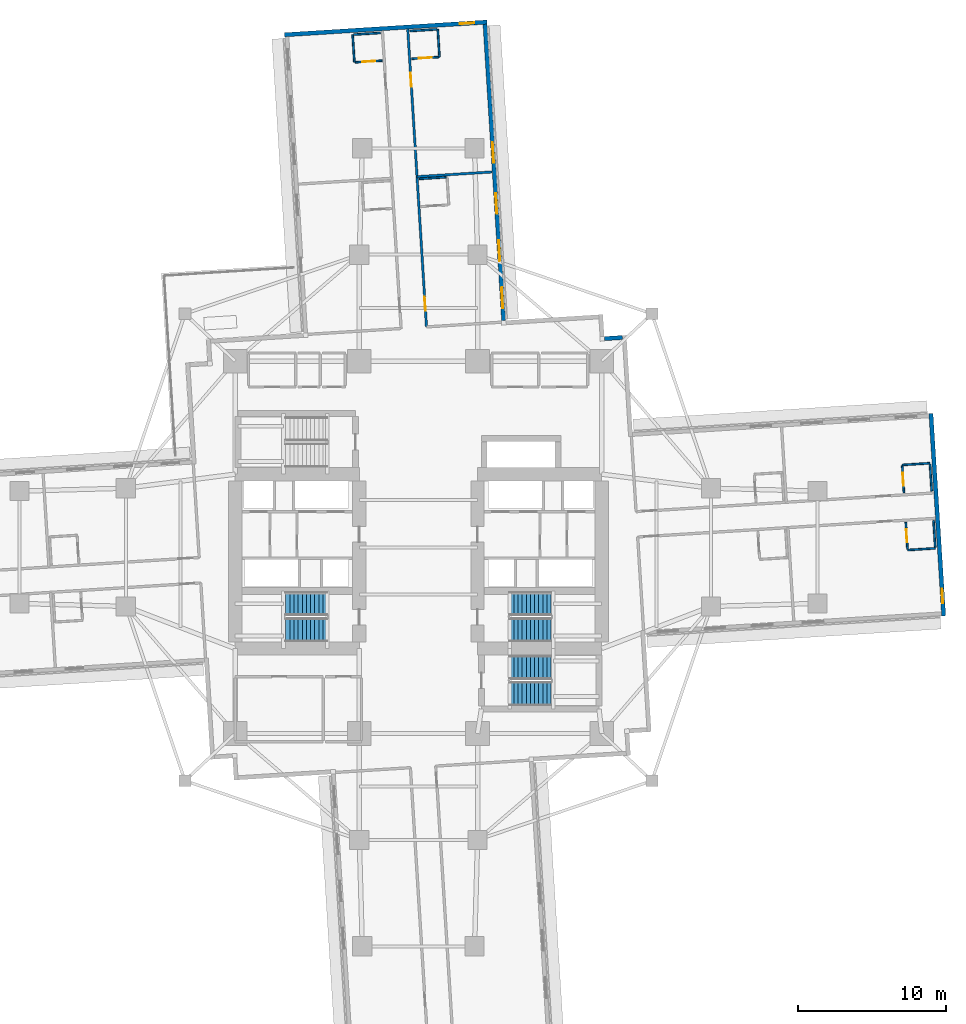
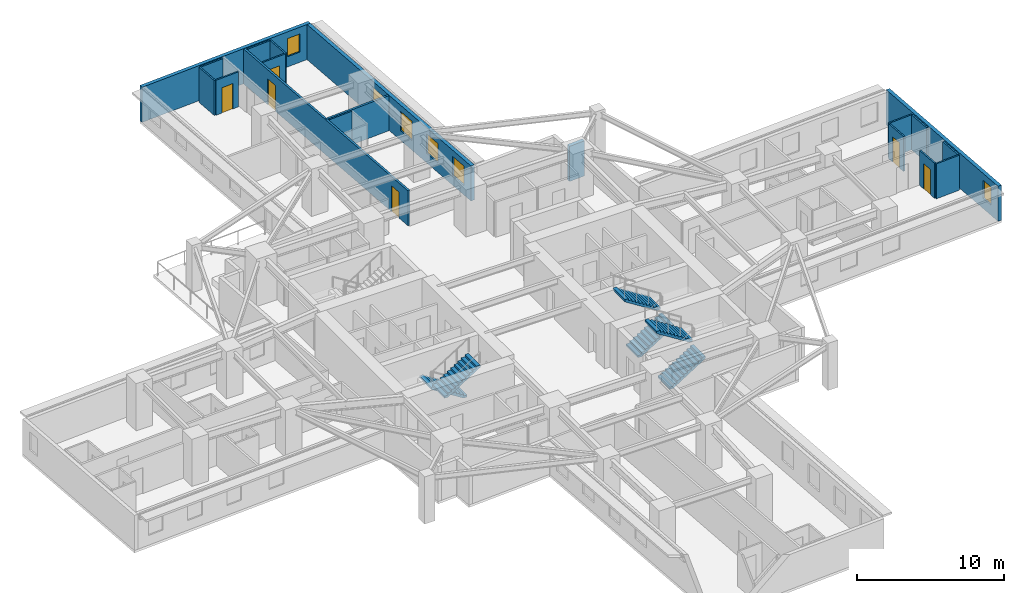
# One storey, part 8 of 14: 19 walls, 6 doors, 6 stair flights, 6 windows, 12 openings, 3 elements without a shape of their own.
"""IFC4 building model written with IfcOpenShell, lengths in metres."""

from ifc_helpers import new_model, si_unit, direction, frame, frame_2d, origin, place, context, subcontext, project, spatial, polyline, rectangle, outline, extrude, material, layer, layer_set, type_object, element, fill, aggregate, save


model = new_model("IFC4")

# Units and contexts
model_context = context("Model", 3, precision=1e-05, world=origin(), true_north=direction((0.0, 1.0)))
body_context = subcontext(model_context, "Body", "Model", "MODEL_VIEW")
ifc_project = project(units=[si_unit("LENGTHUNIT", "METRE"), si_unit("AREAUNIT", "SQUARE_METRE"), si_unit("VOLUMEUNIT", "CUBIC_METRE"), si_unit("PLANEANGLEUNIT", "RADIAN"), si_unit("MASSUNIT", "GRAM", prefix="KILO")], contexts=[model_context])

# Site, building, storey
site_placement = place(None, origin())
site = spatial("IfcSite", under=ifc_project, at=site_placement, CompositionType="ELEMENT")
building_placement = place(site_placement, origin())
building = spatial("IfcBuilding", under=site, at=building_placement, Name="Qingluan Cross Belvedere", CompositionType="ELEMENT")
storey_placement = place(building_placement, frame((0.0, 0.0, 39.300048828125)))
storey = spatial("IfcBuildingStorey", under=building, at=storey_placement, Name="L10", CompositionType="ELEMENT", Elevation=39.300048828125)

# Wall, openings, doors
ifc_material_1 = material(Name="Gypsum plasterboard on steel stud acoustic partition", Category="steel")
ifc_layer_1 = layer(ifc_material_1, 0.159912109375, Name="CorridorPartition_160")
ifc_layer_set_1 = layer_set([ifc_layer_1], Name="Gypsum plasterboard on steel stud acoustic partition")
wall_type_1 = type_object("IfcWallType", Name="CorridorPartition_160", PredefinedType="PARTITIONING", material=ifc_layer_set_1)
wall_1_placement = place(storey_placement, frame((0.544677734375, 14.91357421875, 0.0), z_axis=(0.0, 0.0, 1.0), x_axis=(-0.062794751284, 0.99802646218, 0.0)))
wall_1 = element("IfcWall", 1, at=wall_1_placement, inside=storey, type_object=wall_type_1, Name="Partition L10:N:c0", PredefinedType="PARTITIONING", context=body_context, shape_type="SweptSolid", body=[
    extrude(rectangle(XDim=20.18212890625, YDim=0.159912109375, at=frame_2d((10.091064453125, 0.0))), origin(), (0.0, 0.0, 1.0), 2.89990234375),
])
opening_1_placement = place(wall_1_placement, frame((1.093994140625, 0.0, 0.0)))
opening_1 = element("IfcOpeningElement", 2, at=opening_1_placement, cuts=wall_1, Name="Opening GD-10", PredefinedType="OPENING", context=body_context, shape_type="SweptSolid", body=[
    extrude(rectangle(XDim=0.9599609375, YDim=2.14990234375, at=frame_2d((0.47998046875, 1.074951171875))), frame((0.0, 0.08984375, 0.0), z_axis=(0.0, -1.0, 0.0), x_axis=(1.0, 0.0, 0.0)), (0.0, 0.0, 1.0), 0.179931640625),
])
opening_2_placement = place(wall_1_placement, frame((16.26806640625, 0.0, 0.0)))
opening_2 = element("IfcOpeningElement", 3, at=opening_2_placement, cuts=wall_1, Name="Opening GD-10", PredefinedType="OPENING", context=body_context, shape_type="SweptSolid", body=[
    extrude(rectangle(XDim=0.9599609375, YDim=2.14990234375, at=frame_2d((0.47998046875, 1.074951171875))), frame((0.0, 0.08984375, 0.0), z_axis=(0.0, -1.0, 0.0), x_axis=(1.0, 0.0, 0.0)), (0.0, 0.0, 1.0), 0.179931640625),
])
ifc_material_2 = material(Name="Timber oak fire-rated acoustic guestroom door", Category="wood")
door_type_1 = type_object("IfcDoorType", Name="GuestEntryDoor_FD60", OperationType="NOTDEFINED", PredefinedType="DOOR", material=ifc_material_2)
door_1_placement = place(opening_1_placement, origin())
door_1 = element("IfcDoor", 4, at=door_1_placement, inside=storey, type_object=door_type_1, Name="Guest entry fire door 1009", OperationType="SINGLE_SWING_LEFT", OverallHeight=2.14990234375, OverallWidth=0.9599609375, PredefinedType="DOOR", context=body_context, shape_type="SweptSolid", body=[
    extrude(rectangle(XDim=0.9599609375, YDim=2.14990234375, at=frame_2d((0.47998046875, 1.074951171875))), frame((0.0, 0.02490234375, 0.0), z_axis=(0.0, -1.0, 0.0), x_axis=(1.0, 0.0, 0.0)), (0.0, 0.0, 1.0), 0.050048828125),
])
fill(opening_1, door_1)
door_2_placement = place(opening_2_placement, origin())
door_2 = element("IfcDoor", 5, at=door_2_placement, inside=storey, type_object=door_type_1, Name="Guest entry fire door 1010", OperationType="SINGLE_SWING_LEFT", OverallHeight=2.14990234375, OverallWidth=0.9599609375, PredefinedType="DOOR", context=body_context, shape_type="SweptSolid", body=[
    extrude(rectangle(XDim=0.9599609375, YDim=2.14990234375, at=frame_2d((0.47998046875, 1.074951171875))), frame((0.0, 0.02490234375, 0.0), z_axis=(0.0, -1.0, 0.0), x_axis=(1.0, 0.0, 0.0)), (0.0, 0.0, 1.0), 0.050048828125),
])
fill(opening_2, door_2)

# Wall
wall_2_placement = place(storey_placement, frame((-0.094970703125, 25.07861328125, 0.0), z_axis=(0.0, 0.0, 1.0), x_axis=(0.998028625998, 0.062760351241, 0.0)))
element("IfcWall", 6, at=wall_2_placement, inside=storey, type_object=wall_type_1, Name="Partition L10:N:d0_0", PredefinedType="PARTITIONING", context=body_context, shape_type="SweptSolid", body=[
    extrude(rectangle(XDim=5.092041015625, YDim=0.159912109375, at=frame_2d((2.5458984375, 0.0))), origin(), (0.0, 0.0, 1.0), 2.89990234375),
])

# Wall, opening, door
ifc_material_3 = material(Name="Moisture-resistant gypsum board lining")
ifc_layer_2 = layer(ifc_material_3, 0.1201171875, Name="EnsuiteWetPartition_120")
ifc_layer_set_2 = layer_set([ifc_layer_2], Name="Moisture-resistant gypsum board lining")
wall_type_2 = type_object("IfcWallType", Name="EnsuiteWetPartition_120", PredefinedType="PARTITIONING", material=ifc_layer_set_2)
wall_3_placement = place(storey_placement, frame((32.85302734375, 3.690185546875, 0.0), z_axis=(0.0, 0.0, 1.0), x_axis=(-0.062779145668, 0.998027443946, 0.0)))
wall_3 = element("IfcWall", 7, at=wall_3_placement, inside=storey, type_object=wall_type_2, Name="Partition L10:E:bs0_1", PredefinedType="PARTITIONING", context=body_context, shape_type="SweptSolid", body=[
    extrude(rectangle(XDim=1.820068359375, YDim=0.1201171875, at=frame_2d((0.91015625, 0.0))), origin(), (0.0, 0.0, 1.0), 2.89990234375),
])
opening_3_placement = place(wall_3_placement, frame((0.469970703125, 0.0, 0.0)))
opening_3 = element("IfcOpeningElement", 8, at=opening_3_placement, cuts=wall_3, Name="Opening BD-09", PredefinedType="OPENING", context=body_context, shape_type="SweptSolid", body=[
    extrude(rectangle(XDim=0.8798828125, YDim=2.10009765625, at=frame_2d((0.43994140625, 1.050048828125))), frame((0.0, 0.070068359375, 0.0), z_axis=(0.0, -1.0, 0.0), x_axis=(1.0, 0.0, 0.0)), (0.0, 0.0, 1.0), 0.14013671875),
])
ifc_material_4 = material(Name="Moisture-sealed timber en-suite door", Category="wood")
door_type_2 = type_object("IfcDoorType", Name="BathroomDoor_880", OperationType="NOTDEFINED", PredefinedType="DOOR", material=ifc_material_4)
door_3_placement = place(opening_3_placement, origin())
door_3 = element("IfcDoor", 9, at=door_3_placement, inside=storey, type_object=door_type_2, Name="Bathroom door 1002", OperationType="SINGLE_SWING_RIGHT", OverallHeight=2.10009765625, OverallWidth=0.8798828125, PredefinedType="DOOR", context=body_context, shape_type="SweptSolid", body=[
    extrude(rectangle(XDim=0.8798828125, YDim=2.10009765625, at=frame_2d((0.43994140625, 1.050048828125))), frame((0.0, 0.02490234375, 0.0), z_axis=(0.0, -1.0, 0.0), x_axis=(1.0, 0.0, 0.0)), (0.0, 0.0, 1.0), 0.050048828125),
])
fill(opening_3, door_3)

# Walls
wall_4_placement = place(storey_placement, frame((34.7294921875, 3.80810546875, 0.0), z_axis=(0.0, 0.0, 1.0), x_axis=(-0.062912758763, 0.998019030272, 0.0)))
element("IfcWall", 10, at=wall_4_placement, inside=storey, type_object=wall_type_2, Name="Partition L10:E:bw0_1", PredefinedType="PARTITIONING", context=body_context, shape_type="SweptSolid", body=[
    extrude(rectangle(XDim=1.820068359375, YDim=0.1201171875, at=frame_2d((0.91015625, 0.0))), origin(), (0.0, 0.0, 1.0), 2.89990234375),
])
wall_5_placement = place(storey_placement, frame((32.73486328125, 5.5712890625, 0.0), z_axis=(0.0, 0.0, 1.0), x_axis=(0.998022650819, 0.062855297722, 0.0)))
element("IfcWall", 11, at=wall_5_placement, inside=storey, type_object=wall_type_2, Name="Partition L10:E:bn0_1", PredefinedType="PARTITIONING", context=body_context, shape_type="SweptSolid", body=[
    extrude(rectangle(XDim=1.8798828125, YDim=0.1201171875, at=frame_2d((0.93994140625, 0.0))), origin(), (0.0, 0.0, 1.0), 2.89990234375),
])

# Wall, opening, door
wall_6_placement = place(storey_placement, frame((33.093017578125, -0.122314453125, 0.0), z_axis=(0.0, 0.0, 1.0), x_axis=(-0.062779145668, 0.998027443946, 0.0)))
wall_6 = element("IfcWall", 12, at=wall_6_placement, inside=storey, type_object=wall_type_2, Name="Partition L10:E:bs1_1", PredefinedType="PARTITIONING", context=body_context, shape_type="SweptSolid", body=[
    extrude(rectangle(XDim=1.820068359375, YDim=0.1201171875, at=frame_2d((0.91015625, 0.0))), origin(), (0.0, 0.0, 1.0), 2.89990234375),
])
opening_4_placement = place(wall_6_placement, frame((0.469970703125, 0.0, 0.0)))
opening_4 = element("IfcOpeningElement", 13, at=opening_4_placement, cuts=wall_6, Name="Opening BD-09", PredefinedType="OPENING", context=body_context, shape_type="SweptSolid", body=[
    extrude(rectangle(XDim=0.8798828125, YDim=2.10009765625, at=frame_2d((0.43994140625, 1.050048828125))), frame((0.0, 0.070068359375, 0.0), z_axis=(0.0, -1.0, 0.0), x_axis=(1.0, 0.0, 0.0)), (0.0, 0.0, 1.0), 0.14013671875),
])
door_4_placement = place(opening_4_placement, origin())
door_4 = element("IfcDoor", 14, at=door_4_placement, inside=storey, type_object=door_type_2, Name="Bathroom door 1004", OperationType="SINGLE_SWING_RIGHT", OverallHeight=2.10009765625, OverallWidth=0.8798828125, PredefinedType="DOOR", context=body_context, shape_type="SweptSolid", body=[
    extrude(rectangle(XDim=0.8798828125, YDim=2.10009765625, at=frame_2d((0.43994140625, 1.050048828125))), frame((0.0, 0.02490234375, 0.0), z_axis=(0.0, -1.0, 0.0), x_axis=(1.0, 0.0, 0.0)), (0.0, 0.0, 1.0), 0.050048828125),
])
fill(opening_4, door_4)

# Walls
wall_7_placement = place(storey_placement, frame((34.96923828125, -0.00439453125, 0.0), z_axis=(0.0, 0.0, 1.0), x_axis=(-0.062779145668, 0.998027443946, 0.0)))
element("IfcWall", 15, at=wall_7_placement, inside=storey, type_object=wall_type_2, Name="Partition L10:E:bw1_1", PredefinedType="PARTITIONING", context=body_context, shape_type="SweptSolid", body=[
    extrude(rectangle(XDim=1.820068359375, YDim=0.1201171875, at=frame_2d((0.91015625, 0.0))), origin(), (0.0, 0.0, 1.0), 2.89990234375),
])
wall_8_placement = place(storey_placement, frame((33.09716796875, -0.187255859375, 0.0), z_axis=(0.0, 0.0, 1.0), x_axis=(0.998022650819, 0.062855297722, 0.0)))
element("IfcWall", 16, at=wall_8_placement, inside=storey, type_object=wall_type_2, Name="Partition L10:E:bc1_1", PredefinedType="PARTITIONING", context=body_context, shape_type="SweptSolid", body=[
    extrude(rectangle(XDim=1.8798828125, YDim=0.1201171875, at=frame_2d((0.93994140625, 0.0))), origin(), (0.0, 0.0, 1.0), 2.89990234375),
])
wall_9_placement = place(storey_placement, frame((0.054931640625, 24.927490234375, 0.0), z_axis=(0.0, 0.0, 1.0), x_axis=(0.998019030272, 0.062912758763, 0.0)))
element("IfcWall", 17, at=wall_9_placement, inside=storey, type_object=wall_type_2, Name="Partition L10:N:bw0_0", PredefinedType="PARTITIONING", context=body_context, shape_type="SweptSolid", body=[
    extrude(rectangle(XDim=1.820068359375, YDim=0.1201171875, at=frame_2d((0.91015625, 0.0))), origin(), (0.0, 0.0, 1.0), 2.89990234375),
])

# Wall, opening, door
wall_10_placement = place(storey_placement, frame((-0.45654296875, 33.056640625, 0.0), z_axis=(0.0, 0.0, 1.0), x_axis=(0.998027443946, 0.062779145668, 0.0)))
wall_10 = element("IfcWall", 18, at=wall_10_placement, inside=storey, type_object=wall_type_2, Name="Partition L10:N:bs0_1", PredefinedType="PARTITIONING", context=body_context, shape_type="SweptSolid", body=[
    extrude(rectangle(XDim=1.820068359375, YDim=0.1201171875, at=frame_2d((0.91015625, 0.0))), origin(), (0.0, 0.0, 1.0), 2.89990234375),
])
opening_5_placement = place(wall_10_placement, frame((0.469970703125, 0.0, 0.0)))
opening_5 = element("IfcOpeningElement", 19, at=opening_5_placement, cuts=wall_10, Name="Opening BD-09", PredefinedType="OPENING", context=body_context, shape_type="SweptSolid", body=[
    extrude(rectangle(XDim=0.8798828125, YDim=2.10009765625, at=frame_2d((0.43994140625, 1.050048828125))), frame((0.0, 0.070068359375, 0.0), z_axis=(0.0, -1.0, 0.0), x_axis=(1.0, 0.0, 0.0)), (0.0, 0.0, 1.0), 0.14013671875),
])
door_5_placement = place(opening_5_placement, origin())
door_5 = element("IfcDoor", 20, at=door_5_placement, inside=storey, type_object=door_type_2, Name="Bathroom door 1010", OperationType="SINGLE_SWING_RIGHT", OverallHeight=2.10009765625, OverallWidth=0.8798828125, PredefinedType="DOOR", context=body_context, shape_type="SweptSolid", body=[
    extrude(rectangle(XDim=0.8798828125, YDim=2.10009765625, at=frame_2d((0.43994140625, 1.050048828125))), frame((0.0, 0.02490234375, 0.0), z_axis=(0.0, -1.0, 0.0), x_axis=(1.0, 0.0, 0.0)), (0.0, 0.0, 1.0), 0.050048828125),
])
fill(opening_5, door_5)

# Walls
wall_11_placement = place(storey_placement, frame((-0.57470703125, 34.932861328125, 0.0), z_axis=(0.0, 0.0, 1.0), x_axis=(0.998027443946, 0.062779145668, 0.0)))
element("IfcWall", 21, at=wall_11_placement, inside=storey, type_object=wall_type_2, Name="Partition L10:N:bw0_1", PredefinedType="PARTITIONING", context=body_context, shape_type="SweptSolid", body=[
    extrude(rectangle(XDim=1.820068359375, YDim=0.1201171875, at=frame_2d((0.91015625, 0.0))), origin(), (0.0, 0.0, 1.0), 2.89990234375),
])
wall_12_placement = place(storey_placement, frame((1.4248046875, 33.1748046875, 0.0), z_axis=(0.0, 0.0, 1.0), x_axis=(-0.062847152131, 0.998023163794, 0.0)))
element("IfcWall", 22, at=wall_12_placement, inside=storey, type_object=wall_type_2, Name="Partition L10:N:bn0_1", PredefinedType="PARTITIONING", context=body_context, shape_type="SweptSolid", body=[
    extrude(rectangle(XDim=1.880126953125, YDim=0.1201171875, at=frame_2d((0.93994140625, 0.0))), origin(), (0.0, 0.0, 1.0), 2.89990234375),
])

# Wall, opening, door
wall_13_placement = place(storey_placement, frame((-4.26904296875, 32.816650390625, 0.0), z_axis=(0.0, 0.0, 1.0), x_axis=(0.998027443946, 0.062779145668, 0.0)))
wall_13 = element("IfcWall", 23, at=wall_13_placement, inside=storey, type_object=wall_type_2, Name="Partition L10:N:bs1_1", PredefinedType="PARTITIONING", context=body_context, shape_type="SweptSolid", body=[
    extrude(rectangle(XDim=1.820068359375, YDim=0.1201171875, at=frame_2d((0.91015625, 0.0))), origin(), (0.0, 0.0, 1.0), 2.89990234375),
])
opening_6_placement = place(wall_13_placement, frame((0.469970703125, 0.0, 0.0)))
opening_6 = element("IfcOpeningElement", 24, at=opening_6_placement, cuts=wall_13, Name="Opening BD-09", PredefinedType="OPENING", context=body_context, shape_type="SweptSolid", body=[
    extrude(rectangle(XDim=0.8798828125, YDim=2.10009765625, at=frame_2d((0.43994140625, 1.050048828125))), frame((0.0, 0.070068359375, 0.0), z_axis=(0.0, -1.0, 0.0), x_axis=(1.0, 0.0, 0.0)), (0.0, 0.0, 1.0), 0.14013671875),
])
door_6_placement = place(opening_6_placement, origin())
door_6 = element("IfcDoor", 25, at=door_6_placement, inside=storey, type_object=door_type_2, Name="Bathroom door 1012", OperationType="SINGLE_SWING_RIGHT", OverallHeight=2.10009765625, OverallWidth=0.8798828125, PredefinedType="DOOR", context=body_context, shape_type="SweptSolid", body=[
    extrude(rectangle(XDim=0.8798828125, YDim=2.10009765625, at=frame_2d((0.43994140625, 1.050048828125))), frame((0.0, 0.02490234375, 0.0), z_axis=(0.0, -1.0, 0.0), x_axis=(1.0, 0.0, 0.0)), (0.0, 0.0, 1.0), 0.050048828125),
])
fill(opening_6, door_6)

# Walls
wall_14_placement = place(storey_placement, frame((-4.386962890625, 34.693115234375, 0.0), z_axis=(0.0, 0.0, 1.0), x_axis=(0.998027443946, 0.062779145668, 0.0)))
element("IfcWall", 26, at=wall_14_placement, inside=storey, type_object=wall_type_2, Name="Partition L10:N:bw1_1", PredefinedType="PARTITIONING", context=body_context, shape_type="SweptSolid", body=[
    extrude(rectangle(XDim=1.820068359375, YDim=0.1201171875, at=frame_2d((0.91015625, 0.0))), origin(), (0.0, 0.0, 1.0), 2.89990234375),
])
wall_15_placement = place(storey_placement, frame((-4.333984375, 32.8125, 0.0), z_axis=(0.0, 0.0, 1.0), x_axis=(-0.062717813936, 0.998031300018, 0.0)))
element("IfcWall", 27, at=wall_15_placement, inside=storey, type_object=wall_type_2, Name="Partition L10:N:bc1_1", PredefinedType="PARTITIONING", context=body_context, shape_type="SweptSolid", body=[
    extrude(rectangle(XDim=1.880126953125, YDim=0.1201171875, at=frame_2d((0.93994140625, 0.0))), origin(), (0.0, 0.0, 1.0), 2.89990234375),
])

# Wall, opening, window
ifc_material_5 = material(Name="Precast concrete C45", Category="concrete")
ifc_layer_3 = layer(ifc_material_5, 0.280029296875, Name="PrecastFacadeWall_280")
ifc_layer_set_3 = layer_set([ifc_layer_3], Name="Precast concrete C45")
wall_type_3 = type_object("IfcWallType", Name="PrecastFacadeWall_280", PredefinedType="STANDARD", material=ifc_layer_set_3)
wall_16_placement = place(storey_placement, frame((35.541259765625, -4.637451171875, 0.0), z_axis=(0.0, 0.0, 1.0), x_axis=(-0.062797041623, 0.998026318072, 0.0)))
wall_16 = element("IfcWall", 28, at=wall_16_placement, inside=storey, type_object=wall_type_3, Name="Arm tip precast facade wall L10-E", PredefinedType="STANDARD", context=body_context, shape_type="SweptSolid", body=[
    extrude(rectangle(XDim=13.719970703125, YDim=0.280029296875, at=frame_2d((6.85986328125, 0.0))), origin(), (0.0, 0.0, 1.0), 2.909912109375),
])
opening_7_placement = place(wall_16_placement, frame((0.85009765625, 0.0, 0.85009765625)))
opening_7 = element("IfcOpeningElement", 29, at=opening_7_placement, cuts=wall_16, Name="Opening W-03", PredefinedType="OPENING", context=body_context, shape_type="SweptSolid", body=[
    extrude(rectangle(XDim=1.0, YDim=1.5, at=frame_2d((0.5, 0.75))), frame((0.0, 0.14990234375, 0.0), z_axis=(0.0, -1.0, 0.0), x_axis=(1.0, 0.0, 0.0)), (0.0, 0.0, 1.0), 0.300048828125),
])
ifc_material_6 = material(Name="Thermally broken triple Low-E glass in aluminium frame", Category="aluminium")
window_type_1 = type_object("IfcWindowType", Name="TriApexWin_1000x1500", PartitioningType="SINGLE_PANEL", PredefinedType="WINDOW", material=ifc_material_6)
window_1_placement = place(opening_7_placement, origin())
window_1 = element("IfcWindow", 30, at=window_1_placement, inside=storey, type_object=window_type_1, Name="Arm tip triangular window L10-E", OverallHeight=1.5, OverallWidth=1.0, PartitioningType="SINGLE_PANEL", PredefinedType="WINDOW", context=body_context, shape_type="SweptSolid", body=[
    extrude(rectangle(XDim=1.0, YDim=1.5, at=frame_2d((0.5, 0.75))), frame((0.0, 0.030029296875, 0.0), z_axis=(0.0, -1.0, 0.0), x_axis=(1.0, 0.0, 0.0)), (0.0, 0.0, 1.0), 0.06005859375),
])
fill(opening_7, window_1)

# Wall, openings, windows
wall_17_placement = place(storey_placement, frame((5.7685546875, 15.33251953125, 0.0), z_axis=(0.0, 0.0, 1.0), x_axis=(-0.062784355807, 0.998027116198, 0.0)))
wall_17 = element("IfcWall", 31, at=wall_17_placement, inside=storey, type_object=wall_type_3, Name="Facade wall L10-NA", PredefinedType="STANDARD", context=body_context, shape_type="SweptSolid", body=[
    extrude(rectangle(XDim=20.099853515625, YDim=0.280029296875, at=frame_2d((10.0498046875, 0.0))), origin(), (0.0, 0.0, 1.0), 2.909912109375),
])
opening_8_placement = place(wall_17_placement, frame((0.85009765625, 0.0, 0.800048828125)))
opening_8 = element("IfcOpeningElement", 32, at=opening_8_placement, cuts=wall_17, Name="Opening W-01", PredefinedType="OPENING", context=body_context, shape_type="SweptSolid", body=[
    extrude(rectangle(XDim=1.39990234375, YDim=1.60009765625, at=frame_2d((0.699951171875, 0.800048828125))), frame((0.0, 0.14990234375, 0.0), z_axis=(0.0, -1.0, 0.0), x_axis=(1.0, 0.0, 0.0)), (0.0, 0.0, 1.0), 0.300048828125),
])
opening_9_placement = place(wall_17_placement, frame((4.050048828125, 0.0, 0.800048828125)))
opening_9 = element("IfcOpeningElement", 33, at=opening_9_placement, cuts=wall_17, Name="Opening W-01", PredefinedType="OPENING", context=body_context, shape_type="SweptSolid", body=[
    extrude(rectangle(XDim=1.39990234375, YDim=1.60009765625, at=frame_2d((0.699951171875, 0.800048828125))), frame((0.0, 0.14990234375, 0.0), z_axis=(0.0, -1.0, 0.0), x_axis=(1.0, 0.0, 0.0)), (0.0, 0.0, 1.0), 0.300048828125),
])
opening_10_placement = place(wall_17_placement, frame((7.25, 0.0, 0.800048828125)))
opening_10 = element("IfcOpeningElement", 34, at=opening_10_placement, cuts=wall_17, Name="Opening W-01", PredefinedType="OPENING", context=body_context, shape_type="SweptSolid", body=[
    extrude(rectangle(XDim=1.39990234375, YDim=1.60009765625, at=frame_2d((0.699951171875, 0.800048828125))), frame((0.0, 0.14990234375, 0.0), z_axis=(0.0, -1.0, 0.0), x_axis=(1.0, 0.0, 0.0)), (0.0, 0.0, 1.0), 0.300048828125),
])
opening_11_placement = place(wall_17_placement, frame((10.699951171875, 0.0, 0.800048828125)))
opening_11 = element("IfcOpeningElement", 35, at=opening_11_placement, cuts=wall_17, Name="Opening W-01", PredefinedType="OPENING", context=body_context, shape_type="SweptSolid", body=[
    extrude(rectangle(XDim=1.39990234375, YDim=1.60009765625, at=frame_2d((0.699951171875, 0.800048828125))), frame((0.0, 0.14990234375, 0.0), z_axis=(0.0, -1.0, 0.0), x_axis=(1.0, 0.0, 0.0)), (0.0, 0.0, 1.0), 0.300048828125),
])
ifc_material_7 = material(Name="Thermally broken triple Low-E glass in aluminium frame", Category="aluminium")
window_type_2 = type_object("IfcWindowType", Name="TriRibbonWin_1400x1600", PartitioningType="SINGLE_PANEL", PredefinedType="WINDOW", material=ifc_material_7)
window_2_placement = place(opening_8_placement, origin())
window_2 = element("IfcWindow", 36, at=window_2_placement, inside=storey, type_object=window_type_2, Name="Ribbon window L10-NA-1", OverallHeight=1.60009765625, OverallWidth=1.39990234375, PartitioningType="SINGLE_PANEL", PredefinedType="WINDOW", context=body_context, shape_type="SweptSolid", body=[
    extrude(rectangle(XDim=1.39990234375, YDim=1.60009765625, at=frame_2d((0.699951171875, 0.800048828125))), frame((0.0, 0.030029296875, 0.0), z_axis=(0.0, -1.0, 0.0), x_axis=(1.0, 0.0, 0.0)), (0.0, 0.0, 1.0), 0.06005859375),
])
fill(opening_8, window_2)
window_3_placement = place(opening_9_placement, origin())
window_3 = element("IfcWindow", 37, at=window_3_placement, inside=storey, type_object=window_type_2, Name="Ribbon window L10-NA-2", OverallHeight=1.60009765625, OverallWidth=1.39990234375, PartitioningType="SINGLE_PANEL", PredefinedType="WINDOW", context=body_context, shape_type="SweptSolid", body=[
    extrude(rectangle(XDim=1.39990234375, YDim=1.60009765625, at=frame_2d((0.699951171875, 0.800048828125))), frame((0.0, 0.030029296875, 0.0), z_axis=(0.0, -1.0, 0.0), x_axis=(1.0, 0.0, 0.0)), (0.0, 0.0, 1.0), 0.06005859375),
])
fill(opening_9, window_3)
window_4_placement = place(opening_10_placement, origin())
window_4 = element("IfcWindow", 38, at=window_4_placement, inside=storey, type_object=window_type_2, Name="Ribbon window L10-NA-3", OverallHeight=1.60009765625, OverallWidth=1.39990234375, PartitioningType="SINGLE_PANEL", PredefinedType="WINDOW", context=body_context, shape_type="SweptSolid", body=[
    extrude(rectangle(XDim=1.39990234375, YDim=1.60009765625, at=frame_2d((0.699951171875, 0.800048828125))), frame((0.0, 0.030029296875, 0.0), z_axis=(0.0, -1.0, 0.0), x_axis=(1.0, 0.0, 0.0)), (0.0, 0.0, 1.0), 0.06005859375),
])
fill(opening_10, window_4)
window_5_placement = place(opening_11_placement, origin())
window_5 = element("IfcWindow", 39, at=window_5_placement, inside=storey, type_object=window_type_2, Name="Ribbon window L10-NA-4", OverallHeight=1.60009765625, OverallWidth=1.39990234375, PartitioningType="SINGLE_PANEL", PredefinedType="WINDOW", context=body_context, shape_type="SweptSolid", body=[
    extrude(rectangle(XDim=1.39990234375, YDim=1.60009765625, at=frame_2d((0.699951171875, 0.800048828125))), frame((0.0, 0.030029296875, 0.0), z_axis=(0.0, -1.0, 0.0), x_axis=(1.0, 0.0, 0.0)), (0.0, 0.0, 1.0), 0.06005859375),
])
fill(opening_11, window_5)

# Wall, opening, window
wall_18_placement = place(storey_placement, frame((4.637451171875, 35.541259765625, 0.0), z_axis=(0.0, 0.0, 1.0), x_axis=(-0.998026318072, -0.062797041623, 0.0)))
wall_18 = element("IfcWall", 40, at=wall_18_placement, inside=storey, type_object=wall_type_3, Name="Arm tip precast facade wall L10-N", PredefinedType="STANDARD", context=body_context, shape_type="SweptSolid", body=[
    extrude(rectangle(XDim=13.719970703125, YDim=0.280029296875, at=frame_2d((6.85986328125, 0.0))), origin(), (0.0, 0.0, 1.0), 2.909912109375),
])
opening_12_placement = place(wall_18_placement, frame((0.85009765625, 0.0, 0.85009765625)))
opening_12 = element("IfcOpeningElement", 41, at=opening_12_placement, cuts=wall_18, Name="Opening W-03", PredefinedType="OPENING", context=body_context, shape_type="SweptSolid", body=[
    extrude(rectangle(XDim=1.0, YDim=1.5, at=frame_2d((0.5, 0.75))), frame((0.0, 0.14990234375, 0.0), z_axis=(0.0, -1.0, 0.0), x_axis=(1.0, 0.0, 0.0)), (0.0, 0.0, 1.0), 0.300048828125),
])
window_6_placement = place(opening_12_placement, origin())
window_6 = element("IfcWindow", 42, at=window_6_placement, inside=storey, type_object=window_type_1, Name="Arm tip triangular window L10-N", OverallHeight=1.5, OverallWidth=1.0, PartitioningType="SINGLE_PANEL", PredefinedType="WINDOW", context=body_context, shape_type="SweptSolid", body=[
    extrude(rectangle(XDim=1.0, YDim=1.5, at=frame_2d((0.5, 0.75))), frame((0.0, 0.030029296875, 0.0), z_axis=(0.0, -1.0, 0.0), x_axis=(1.0, 0.0, 0.0)), (0.0, 0.0, 1.0), 0.06005859375),
])
fill(opening_12, window_6)

# Wall
wall_19_placement = place(storey_placement, frame((13.7958984375, 14.1943359375, 0.0), z_axis=(0.0, 0.0, 1.0), x_axis=(-0.998023660242, -0.06283926796, 0.0)))
element("IfcWall", 43, at=wall_19_placement, inside=storey, type_object=wall_type_3, Name="Corner wall L10-NE2", PredefinedType="STANDARD", context=body_context, shape_type="SweptSolid", body=[
    extrude(rectangle(XDim=1.219970703125, YDim=0.280029296875, at=frame_2d((0.60986328125, 0.0))), origin(), (0.0, 0.0, 1.0), 2.909912109375),
])

# Stair, stair flights
ifc_material_8 = material(Name="Concrete C40", Category="concrete")
stair_type = type_object("IfcStairType", Name="CoreDoglegStair_1620", PredefinedType="HALF_TURN_STAIR", material=ifc_material_8)
stair_1_placement = place(storey_placement, origin())
stair_1 = element("IfcStair", 44, at=stair_1_placement, inside=storey, type_object=stair_type, Name="L10 ST1", PredefinedType="HALF_TURN_STAIR")
ifc_material_9 = material(Name="Concrete C40", Category="concrete")
ifc_layer_4 = layer(ifc_material_9, 0.179931640625, Name="StairFlight_RC180")
ifc_layer_set_4 = layer_set([ifc_layer_4], Name="Concrete C40")
stair_flight_type = type_object("IfcStairFlightType", Name="StairFlight_RC180", PredefinedType="STRAIGHT", material=ifc_layer_set_4)
stair_flight_1_placement = place(storey_placement, frame((-6.179931640625, -3.81005859375, 0.0), z_axis=(0.0, 0.0, 1.0), x_axis=(-1.0, 0.0, 0.0)))
stair_flight_1 = element("IfcStairFlight", 45, at=stair_flight_1_placement, type_object=stair_flight_type, Name="ST1 flight 1", NumberOfRisers=11, NumberOfTreads=10, PredefinedType="STRAIGHT", RiserHeight=0.177272727, TreadLength=0.28, context=body_context, shape_type="SweptSolid", body=[
    extrude(outline(polyline([(0.0, 0.0), (0.0, 0.17724609375), (0.280029296875, 0.17724609375), (0.280029296875, 0.3544921875), (0.56005859375, 0.3544921875), (0.56005859375, 0.53173828125), (0.840087890625, 0.53173828125), (0.840087890625, 0.708984375), (1.1201171875, 0.708984375), (1.1201171875, 0.886474609375), (1.39990234375, 0.886474609375), (1.39990234375, 1.063720703125), (1.679931640625, 1.063720703125), (1.679931640625, 1.240966796875), (1.9599609375, 1.240966796875), (1.9599609375, 1.418212890625), (2.239990234375, 1.418212890625), (2.239990234375, 1.595458984375), (2.52001953125, 1.595458984375), (2.52001953125, 1.772705078125), (2.800048828125, 1.772705078125), (2.800048828125, 1.949951171875), (2.800048828125, 1.59521484375), (0.2802734375, 0.0), (0.0, 0.0)])), frame((0.0, 0.81005859375, 0.0), z_axis=(0.0, -1.0, 0.0), x_axis=(1.0, 0.0, 0.0)), (0.0, 0.0, 1.0), 1.6201171875),
])
stair_flight_2_placement = place(storey_placement, frame((-8.97998046875, -5.590087890625, 1.949951171875), z_axis=(0.0, 0.0, 1.0), x_axis=(1.0, 0.0, 0.0)))
stair_flight_2 = element("IfcStairFlight", 46, at=stair_flight_2_placement, type_object=stair_flight_type, Name="ST1 flight 2", NumberOfRisers=11, NumberOfTreads=10, PredefinedType="STRAIGHT", RiserHeight=0.177272727, TreadLength=0.28, context=body_context, shape_type="SweptSolid", body=[
    extrude(outline(polyline([(0.0, 0.0), (0.0, 0.17724609375), (0.280029296875, 0.17724609375), (0.280029296875, 0.3544921875), (0.56005859375, 0.3544921875), (0.56005859375, 0.53173828125), (0.840087890625, 0.53173828125), (0.840087890625, 0.708984375), (1.1201171875, 0.708984375), (1.1201171875, 0.886474609375), (1.39990234375, 0.886474609375), (1.39990234375, 1.063720703125), (1.679931640625, 1.063720703125), (1.679931640625, 1.240966796875), (1.9599609375, 1.240966796875), (1.9599609375, 1.418212890625), (2.239990234375, 1.418212890625), (2.239990234375, 1.595458984375), (2.52001953125, 1.595458984375), (2.52001953125, 1.772705078125), (2.800048828125, 1.772705078125), (2.800048828125, 1.949951171875), (2.800048828125, 1.59521484375), (0.2802734375, 0.0), (0.0, 0.0)])), frame((0.0, 0.81005859375, 0.0), z_axis=(0.0, -1.0, 0.0), x_axis=(1.0, 0.0, 0.0)), (0.0, 0.0, 1.0), 1.6201171875),
])
aggregate(stair_1, [stair_flight_1, stair_flight_2])

stair_2_placement = place(storey_placement, origin())
stair_2 = element("IfcStair", 47, at=stair_2_placement, inside=storey, type_object=stair_type, Name="L10 ST2", PredefinedType="HALF_TURN_STAIR")
stair_flight_3_placement = place(storey_placement, frame((6.179931640625, -5.590087890625, 0.0), z_axis=(0.0, 0.0, 1.0), x_axis=(1.0, 0.0, 0.0)))
stair_flight_3 = element("IfcStairFlight", 48, at=stair_flight_3_placement, type_object=stair_flight_type, Name="ST2 flight 1", NumberOfRisers=11, NumberOfTreads=10, PredefinedType="STRAIGHT", RiserHeight=0.177272727, TreadLength=0.28, context=body_context, shape_type="SweptSolid", body=[
    extrude(outline(polyline([(0.0, 0.0), (0.0, 0.17724609375), (0.280029296875, 0.17724609375), (0.280029296875, 0.3544921875), (0.56005859375, 0.3544921875), (0.56005859375, 0.53173828125), (0.840087890625, 0.53173828125), (0.840087890625, 0.708984375), (1.1201171875, 0.708984375), (1.1201171875, 0.886474609375), (1.39990234375, 0.886474609375), (1.39990234375, 1.063720703125), (1.679931640625, 1.063720703125), (1.679931640625, 1.240966796875), (1.9599609375, 1.240966796875), (1.9599609375, 1.418212890625), (2.239990234375, 1.418212890625), (2.239990234375, 1.595458984375), (2.52001953125, 1.595458984375), (2.52001953125, 1.772705078125), (2.800048828125, 1.772705078125), (2.800048828125, 1.949951171875), (2.800048828125, 1.59521484375), (0.2802734375, 0.0), (0.0, 0.0)])), frame((0.0, 0.81005859375, 0.0), z_axis=(0.0, -1.0, 0.0), x_axis=(1.0, 0.0, 0.0)), (0.0, 0.0, 1.0), 1.6201171875),
])
stair_flight_4_placement = place(storey_placement, frame((8.97998046875, -3.81005859375, 1.949951171875), z_axis=(0.0, 0.0, 1.0), x_axis=(-1.0, 0.0, 0.0)))
stair_flight_4 = element("IfcStairFlight", 49, at=stair_flight_4_placement, type_object=stair_flight_type, Name="ST2 flight 2", NumberOfRisers=11, NumberOfTreads=10, PredefinedType="STRAIGHT", RiserHeight=0.177272727, TreadLength=0.28, context=body_context, shape_type="SweptSolid", body=[
    extrude(outline(polyline([(0.0, 0.0), (0.0, 0.17724609375), (0.280029296875, 0.17724609375), (0.280029296875, 0.3544921875), (0.56005859375, 0.3544921875), (0.56005859375, 0.53173828125), (0.840087890625, 0.53173828125), (0.840087890625, 0.708984375), (1.1201171875, 0.708984375), (1.1201171875, 0.886474609375), (1.39990234375, 0.886474609375), (1.39990234375, 1.063720703125), (1.679931640625, 1.063720703125), (1.679931640625, 1.240966796875), (1.9599609375, 1.240966796875), (1.9599609375, 1.418212890625), (2.239990234375, 1.418212890625), (2.239990234375, 1.595458984375), (2.52001953125, 1.595458984375), (2.52001953125, 1.772705078125), (2.800048828125, 1.772705078125), (2.800048828125, 1.949951171875), (2.800048828125, 1.59521484375), (0.2802734375, 0.0), (0.0, 0.0)])), frame((0.0, 0.81005859375, 0.0), z_axis=(0.0, -1.0, 0.0), x_axis=(1.0, 0.0, 0.0)), (0.0, 0.0, 1.0), 1.6201171875),
])
aggregate(stair_2, [stair_flight_3, stair_flight_4])

stair_3_placement = place(storey_placement, origin())
stair_3 = element("IfcStair", 50, at=stair_3_placement, inside=storey, type_object=stair_type, Name="L10 ST4", PredefinedType="HALF_TURN_STAIR")
stair_flight_5_placement = place(storey_placement, frame((6.179931640625, -9.909912109375, 0.0), z_axis=(0.0, 0.0, 1.0), x_axis=(1.0, 0.0, 0.0)))
stair_flight_5 = element("IfcStairFlight", 51, at=stair_flight_5_placement, type_object=stair_flight_type, Name="ST4 flight 1", NumberOfRisers=11, NumberOfTreads=10, PredefinedType="STRAIGHT", RiserHeight=0.177272727, TreadLength=0.28, context=body_context, shape_type="SweptSolid", body=[
    extrude(outline(polyline([(0.0, 0.0), (0.0, 0.17724609375), (0.280029296875, 0.17724609375), (0.280029296875, 0.3544921875), (0.56005859375, 0.3544921875), (0.56005859375, 0.53173828125), (0.840087890625, 0.53173828125), (0.840087890625, 0.708984375), (1.1201171875, 0.708984375), (1.1201171875, 0.886474609375), (1.39990234375, 0.886474609375), (1.39990234375, 1.063720703125), (1.679931640625, 1.063720703125), (1.679931640625, 1.240966796875), (1.9599609375, 1.240966796875), (1.9599609375, 1.418212890625), (2.239990234375, 1.418212890625), (2.239990234375, 1.595458984375), (2.52001953125, 1.595458984375), (2.52001953125, 1.772705078125), (2.800048828125, 1.772705078125), (2.800048828125, 1.949951171875), (2.800048828125, 1.59521484375), (0.2802734375, 0.0), (0.0, 0.0)])), frame((0.0, 0.81005859375, 0.0), z_axis=(0.0, -1.0, 0.0), x_axis=(1.0, 0.0, 0.0)), (0.0, 0.0, 1.0), 1.6201171875),
])
stair_flight_6_placement = place(storey_placement, frame((8.97998046875, -8.1298828125, 1.949951171875), z_axis=(0.0, 0.0, 1.0), x_axis=(-1.0, 0.0, 0.0)))
stair_flight_6 = element("IfcStairFlight", 52, at=stair_flight_6_placement, type_object=stair_flight_type, Name="ST4 flight 2", NumberOfRisers=11, NumberOfTreads=10, PredefinedType="STRAIGHT", RiserHeight=0.177272727, TreadLength=0.28, context=body_context, shape_type="SweptSolid", body=[
    extrude(outline(polyline([(0.0, 0.0), (0.0, 0.17724609375), (0.280029296875, 0.17724609375), (0.280029296875, 0.3544921875), (0.56005859375, 0.3544921875), (0.56005859375, 0.53173828125), (0.840087890625, 0.53173828125), (0.840087890625, 0.708984375), (1.1201171875, 0.708984375), (1.1201171875, 0.886474609375), (1.39990234375, 0.886474609375), (1.39990234375, 1.063720703125), (1.679931640625, 1.063720703125), (1.679931640625, 1.240966796875), (1.9599609375, 1.240966796875), (1.9599609375, 1.418212890625), (2.239990234375, 1.418212890625), (2.239990234375, 1.595458984375), (2.52001953125, 1.595458984375), (2.52001953125, 1.772705078125), (2.800048828125, 1.772705078125), (2.800048828125, 1.949951171875), (2.800048828125, 1.59521484375), (0.2802734375, 0.0), (0.0, 0.0)])), frame((0.0, 0.81005859375, 0.0), z_axis=(0.0, -1.0, 0.0), x_axis=(1.0, 0.0, 0.0)), (0.0, 0.0, 1.0), 1.6201171875),
])
aggregate(stair_3, [stair_flight_5, stair_flight_6])

save(model, "model.ifc")
